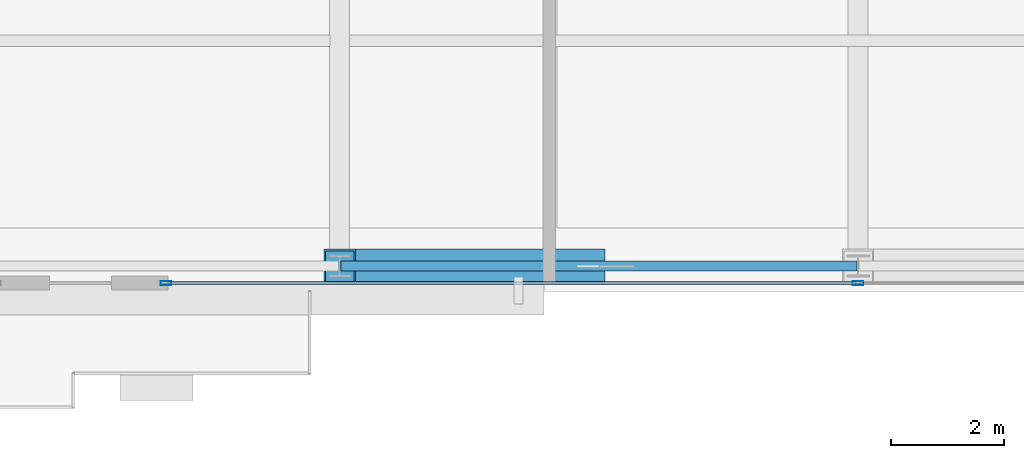
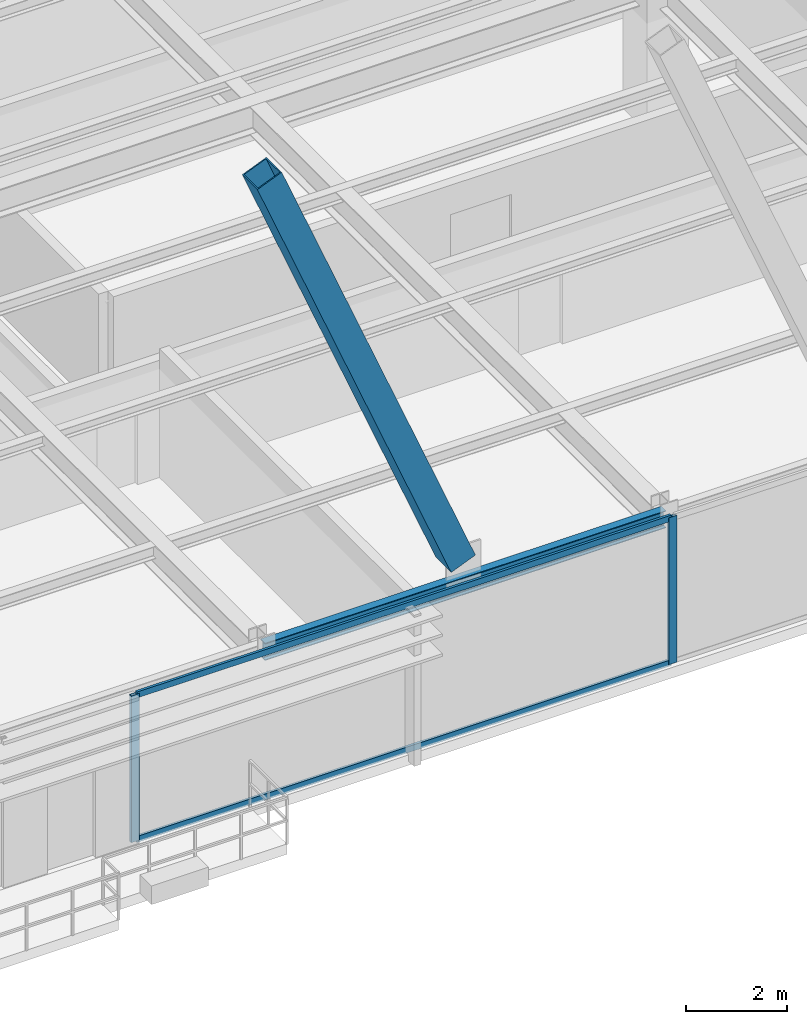
# One storey, part 6 of 37: 5 members, 1 beam, 1 element without a shape of its own.
"""IFC4 building model written with IfcOpenShell, lengths in metres."""

import ifcopenshell
import ifcopenshell.guid

model = None  # the IFC model being written
_history = None  # IfcOwnerHistory: only IFC2X3 demands one
_inside = {}  # id of a spatial element -> (the spatial element, [elements in it])
_under = {}  # id of a project, library or spatial element -> (it, [spatial elements below it])
_declared = {}  # id of a project -> (the project, [libraries it declares])
_typed = {}  # id of a type object -> (the type object, [elements of that type])
_made_of = {}  # id of a material, layer set ... -> (it, [elements and type objects made of it])


def new_model(schema):
    """Start an empty IFC model of exactly this schema.

    Asked for "IFC4X3", IfcOpenShell would pick the latest addendum, in which some entities
    have other attributes; the version numbers below select the first issue.
    IFC2X3 requires an IfcOwnerHistory on every rooted entity: one is made here for all.
    """
    global model, _history
    if schema == "IFC4X3":
        model = ifcopenshell.file(schema_version=(4, 3, 0, 0))
    else:
        model = ifcopenshell.file(schema=schema)
    _inside.clear()
    _under.clear()
    _declared.clear()
    _typed.clear()
    _made_of.clear()
    _history = None
    if model.schema == "IFC2X3":
        org = make("IfcOrganization", Name="unknown")
        user = make(
            "IfcPersonAndOrganization",
            ThePerson=make("IfcPerson", FamilyName="unknown"),
            TheOrganization=org,
        )
        app = make(
            "IfcApplication",
            ApplicationDeveloper=org,
            Version="unknown",
            ApplicationFullName="unknown",
            ApplicationIdentifier="unknown",
        )
        _history = make(
            "IfcOwnerHistory",
            OwningUser=user,
            OwningApplication=app,
            ChangeAction="ADDED",
            CreationDate=0,
        )
    return model


def make(cls, **values):
    """One entity of the class cls with the attributes given. An attribute that is None is left unset."""
    return model.create_entity(
        cls, **{name: value for name, value in values.items() if value is not None}
    )


def rooted(cls, **values):
    """An entity with a GlobalId (a new one), such as an element, a storey or a relation."""
    return make(cls, GlobalId=ifcopenshell.guid.new(), OwnerHistory=_history, **values)


def si_unit(unit_type, name, prefix=None):
    """IfcSIUnit, for example si_unit("LENGTHUNIT", "METRE", prefix="MILLI")."""
    return make("IfcSIUnit", UnitType=unit_type, Prefix=prefix, Name=name)


def assignment(units):
    """IfcUnitAssignment: the units of a project."""
    return None if units is None else make("IfcUnitAssignment", Units=units)


def point(xyz):
    """IfcCartesianPoint."""
    return None if xyz is None else make("IfcCartesianPoint", Coordinates=xyz)


def direction(xyz):
    """IfcDirection."""
    return None if xyz is None else make("IfcDirection", DirectionRatios=xyz)


def frame(location, z_axis=None, x_axis=None):
    """IfcAxis2Placement3D, a coordinate frame: its origin and axes. An axis left out is left unset."""
    return make(
        "IfcAxis2Placement3D",
        Location=point(location),
        Axis=direction(z_axis),
        RefDirection=direction(x_axis),
    )


def frame_2d(location, x_axis=None):
    """IfcAxis2Placement2D, a coordinate frame in the plane: its origin and x axis."""
    return make(
        "IfcAxis2Placement2D", Location=point(location), RefDirection=direction(x_axis)
    )


def origin():
    """The frame at (0, 0, 0) with its axes left unset."""
    return frame((0.0, 0.0, 0.0))


def origin_2d():
    """The frame at (0, 0) in the plane with its x axis left unset."""
    return frame_2d((0.0, 0.0))


def place(relative_to, where):
    """IfcLocalPlacement: puts the frame where relative to a parent placement (None: the world)."""
    return make(
        "IfcLocalPlacement", PlacementRelTo=relative_to, RelativePlacement=where
    )


def context(
    kind, dimensions, precision=None, world=None, true_north=None, identifier=None
):
    """IfcGeometricRepresentationContext, for example the 3D "Model" context."""
    return make(
        "IfcGeometricRepresentationContext",
        ContextIdentifier=identifier,
        ContextType=kind,
        CoordinateSpaceDimension=dimensions,
        Precision=precision,
        WorldCoordinateSystem=world,
        TrueNorth=true_north,
    )


def subcontext(parent, identifier, kind, view, scale=None):
    """IfcGeometricRepresentationSubContext, for example "Body" below "Model"."""
    return make(
        "IfcGeometricRepresentationSubContext",
        ContextIdentifier=identifier,
        ContextType=kind,
        ParentContext=parent,
        TargetScale=scale,
        TargetView=view,
    )


def project(units=None, contexts=None):
    """IfcProject with its units and contexts."""
    return rooted(
        "IfcProject",
        Name="project",
        RepresentationContexts=contexts,
        UnitsInContext=assignment(units),
    )


def spatial(cls, under=None, at=None, **own):
    """A site, building, storey or space (cls), placed at a placement, below another one or the project."""
    s = rooted(cls, ObjectPlacement=at, **own)
    if under is not None:
        _under.setdefault(under.id(), (under, []))[1].append(s)
    return s


def profile(cls, at=None, kind="AREA", **sizes):
    """A parametric profile (cls). Its sizes go by their IFC names, for example OverallWidth=200.0."""
    return make(cls, ProfileType=kind, Position=at, **sizes)


def hollow_rectangle(**sizes):
    """IfcRectangleHollowProfileDef."""
    return profile("IfcRectangleHollowProfileDef", **sizes)


def i_section(**sizes):
    """IfcIShapeProfileDef."""
    return profile("IfcIShapeProfileDef", **sizes)


def extrude(swept, where, along, depth):
    """IfcExtrudedAreaSolid: the profile swept, set in the frame where, extruded along a direction by depth."""
    return make(
        "IfcExtrudedAreaSolid",
        SweptArea=swept,
        Position=where,
        ExtrudedDirection=direction(along),
        Depth=depth,
    )


def shape(context_of_items, identifier, shape_type, items):
    """IfcShapeRepresentation: the items that make up one representation, for example the "Body"."""
    return make(
        "IfcShapeRepresentation",
        ContextOfItems=context_of_items,
        RepresentationIdentifier=identifier,
        RepresentationType=shape_type,
        Items=items,
    )


def source(mapping_origin, context_of_items, identifier, shape_type, items):
    """IfcRepresentationMap: a shape defined once, which mapped items show again and again."""
    return make(
        "IfcRepresentationMap",
        MappingOrigin=mapping_origin,
        MappedRepresentation=shape(context_of_items, identifier, shape_type, items),
    )


def transform(
    local_origin,
    x_axis=None,
    y_axis=None,
    z_axis=None,
    scale=None,
    scale2=None,
    scale3=None,
    uniform=True,
):
    """IfcCartesianTransformationOperator3D, or its non-uniform kind. x_axis, y_axis, z_axis: its Axis1, 2, 3."""
    if uniform:
        return make(
            "IfcCartesianTransformationOperator3D",
            Axis1=direction(x_axis),
            Axis2=direction(y_axis),
            LocalOrigin=point(local_origin),
            Scale=scale,
            Axis3=direction(z_axis),
        )
    return make(
        "IfcCartesianTransformationOperator3DnonUniform",
        Axis1=direction(x_axis),
        Axis2=direction(y_axis),
        LocalOrigin=point(local_origin),
        Scale=scale,
        Axis3=direction(z_axis),
        Scale2=scale2,
        Scale3=scale3,
    )


def mapped(mapping_source, mapping_target):
    """IfcMappedItem: shows the shape of a source again, moved by a transform."""
    return make(
        "IfcMappedItem", MappingSource=mapping_source, MappingTarget=mapping_target
    )


def material(Name=None, Category=None):
    """IfcMaterial."""
    return make("IfcMaterial", Name=Name, Category=Category)


def layer(
    of_material, thickness, ventilated=None, Name=None, Category=None, Priority=None
):
    """IfcMaterialLayer: one layer of a wall or slab, of a material (None: an air gap)."""
    return make(
        "IfcMaterialLayer",
        Material=of_material,
        LayerThickness=thickness,
        IsVentilated=ventilated,
        Name=Name,
        Category=Category,
        Priority=Priority,
    )


def layer_set(layers, Name=None):
    """IfcMaterialLayerSet."""
    return make("IfcMaterialLayerSet", MaterialLayers=layers, LayerSetName=Name)


def material_profile(
    of_material, cross_section, Name=None, Category=None, Priority=None
):
    """IfcMaterialProfile: a cross section and its material."""
    return make(
        "IfcMaterialProfile",
        Name=Name,
        Material=of_material,
        Profile=cross_section,
        Priority=Priority,
        Category=Category,
    )


def profile_set(profiles, Name=None, composite=None):
    """IfcMaterialProfileSet."""
    return make(
        "IfcMaterialProfileSet",
        Name=Name,
        MaterialProfiles=profiles,
        CompositeProfile=composite,
    )


def made_of(thing, what):
    """Note that an element or type object is made of a material, layer set ...; save() writes the relation."""
    if what is not None:
        _made_of.setdefault(what.id(), (what, []))[1].append(thing)
    return thing


def type_object(cls, material=None, **own):
    """A type object (cls), such as IfcWallType, which elements share."""
    return made_of(rooted(cls, **own), material)


def type_shapes(of_type, sources):
    """Give a type object the sources (RepresentationMaps) that its elements show as mapped items."""
    of_type.RepresentationMaps = sources


def element(
    cls,
    number,
    at=None,
    inside=None,
    cuts=None,
    type_object=None,
    material=None,
    context=None,
    identifier="Body",
    shape_type=None,
    held_by="IfcProductDefinitionShape",
    body=None,
    shapes=None,
    **own,
):
    """One element of the class cls, such as IfcWall. Its Tag is "e" and its number.

    at: its placement. inside: the storey or other place that contains it. cuts: it is an
    opening in that element (IfcRelVoidsElement). A single representation is given by context,
    identifier, shape_type and body (its items); several are given by shapes. held_by: the class
    of the entity that holds the representations. save() writes the other relations.
    """
    e = rooted(cls, Tag="e%d" % number, ObjectPlacement=at, **own)
    if body is not None:
        shapes = [shape(context, identifier, shape_type, body)]
    if shapes is not None:
        e.Representation = make(held_by, Representations=shapes)
    if inside is not None:
        _inside.setdefault(inside.id(), (inside, []))[1].append(e)
    if cuts is not None:
        rooted(
            "IfcRelVoidsElement", RelatingBuildingElement=cuts, RelatedOpeningElement=e
        )
    if type_object is not None:
        _typed.setdefault(type_object.id(), (type_object, []))[1].append(e)
    return made_of(e, material)


def aggregate(whole, parts):
    """IfcRelAggregates: a whole, such as a stair, and the parts it consists of."""
    return rooted("IfcRelAggregates", RelatingObject=whole, RelatedObjects=parts)


def save(model, path):
    """Write the relations noted so far, then the file.

    IfcRelAggregates (storeys below a building ...), IfcRelContainedInSpatialStructure (elements
    in a storey), IfcRelDefinesByType, IfcRelAssociatesMaterial and IfcRelDeclares: one each for
    every whole, place, type object, material and project.
    """
    for whole, parts in _under.values():
        aggregate(whole, parts)
    for where, things in _inside.values():
        rooted(
            "IfcRelContainedInSpatialStructure",
            RelatedElements=things,
            RelatingStructure=where,
        )
    for kind, things in _typed.values():
        rooted("IfcRelDefinesByType", RelatedObjects=things, RelatingType=kind)
    for what, things in _made_of.values():
        rooted("IfcRelAssociatesMaterial", RelatedObjects=things, RelatingMaterial=what)
    for by, libraries in _declared.values():
        rooted("IfcRelDeclares", RelatingContext=by, RelatedDefinitions=libraries)
    model.write(path)


model = new_model("IFC4")

# Units and contexts
model_context = context("Model", 3, precision=1e-05, world=origin(), true_north=direction((0.0, 1.0)))
body_context = subcontext(model_context, "Body", "Model", "MODEL_VIEW")
ifc_project = project(units=[si_unit("LENGTHUNIT", "METRE"), si_unit("AREAUNIT", "SQUARE_METRE"), si_unit("VOLUMEUNIT", "CUBIC_METRE"), si_unit("PLANEANGLEUNIT", "RADIAN"), si_unit("MASSUNIT", "GRAM", prefix="KILO")], contexts=[model_context])

# Site, building, storey
site_placement = place(None, origin())
site = spatial("IfcSite", under=ifc_project, at=site_placement, CompositionType="ELEMENT")
building_placement = place(site_placement, origin())
building = spatial("IfcBuilding", under=site, at=building_placement, Name="Varnel Quay Broadcast Tower", CompositionType="ELEMENT")
storey_placement = place(building_placement, frame((0.0, 0.0, 125.800048828125)))
storey = spatial("IfcBuildingStorey", under=building, at=storey_placement, Name="L30", CompositionType="ELEMENT", Elevation=125.800048828125)

# Beam
ifc_material_1 = material(Name="Structural Steel CSA G40.21 350W", Category="steel")
ifc_material_profile_1 = material_profile(ifc_material_1, i_section(OverallWidth=0.180908203125, OverallDepth=0.4169921875, WebThickness=0.010986328125, FlangeThickness=0.018310546875, FilletRadius=0.011962890625, at=origin_2d()), Name="W410X85")
ifc_profile_set_1 = profile_set([ifc_material_profile_1], Name="Structural Steel CSA G40.21 350W")
beam_type = type_object("IfcBeamType", Name="Beam_W410X85", PredefinedType="SPANDREL", material=ifc_profile_set_1)
shared_shape_1 = source(origin(), body_context, "Body", "SweptSolid", [
    extrude(i_section(OverallWidth=0.180908203125, OverallDepth=0.4169921875, WebThickness=0.010986328125, FlangeThickness=0.018310546875, FilletRadius=0.011962890625, at=origin_2d()), origin(), (0.0, 0.0, 1.0), 9.159912109375),
])
type_shapes(beam_type, [shared_shape_1])
beam_placement = place(storey_placement, frame((24.820068359375, 4.64990234375, 3.341552734375), z_axis=(1.0, 0.0, 0.0), x_axis=(0.0, 1.0, 0.0)))
element("IfcBeam", 1, at=beam_placement, inside=storey, type_object=beam_type, Name="L30 South Spandrel TC-S2-TC-S3", PredefinedType="SPANDREL", context=body_context, shape_type="MappedRepresentation", body=[
    mapped(shared_shape_1, transform((0.0, 0.0, 0.0), x_axis=(1.0, 0.0, 0.0), y_axis=(0.0, 1.0, 0.0), z_axis=(0.0, 0.0, 1.0), scale=1.0)),
])

# Member
ifc_material_2 = material(Name="Structural Steel CSA G40.21 350WT", Category="steel")
ifc_material_profile_2 = material_profile(ifc_material_2, hollow_rectangle(XDim=0.60009765625, YDim=0.60009765625, WallThickness=0.028076171875, at=origin_2d()), Name="BOX600X600X28")
ifc_profile_set_2 = profile_set([ifc_material_profile_2], Name="Structural Steel CSA G40.21 350WT")
member_type_1 = type_object("IfcMemberType", Name="Brace_BOX600X600X28", PredefinedType="BRACE", material=ifc_profile_set_2)
shared_shape_2 = source(origin(), body_context, "Body", "SweptSolid", [
    extrude(hollow_rectangle(XDim=0.60009765625, YDim=0.60009765625, WallThickness=0.028076171875, at=origin_2d()), origin(), (0.0, 0.0, 1.0), 11.673828125),
])
type_shapes(member_type_1, [shared_shape_2])
member_1_placement = place(storey_placement, frame((29.228515625, 4.64990234375, 4.05859375), z_axis=(-0.379349342289, 0.0, 0.925253520126), x_axis=(0.0, -1.0, 0.0)))
element("IfcMember", 2, at=member_1_placement, inside=storey, type_object=member_type_1, Name="Zone 2 Mega-Brace S-C1T3 Split Diag B2", PredefinedType="BRACE", context=body_context, shape_type="MappedRepresentation", body=[
    mapped(shared_shape_2, transform((0.0, 0.0, 0.0), x_axis=(1.0, 0.0, 0.0), y_axis=(0.0, 1.0, 0.0), z_axis=(0.0, 0.0, 1.0), scale=1.0)),
])

# Curtain wall, members
ifc_material_3 = material(Name="Anodised Bronze Aluminium 6063-T6", Category="aluminium")
ifc_layer = layer(ifc_material_3, 0.18994140625, Name="Anodised Bronze Aluminium 6063-T6")
ifc_layer_set = layer_set([ifc_layer], Name="Anodised Bronze Aluminium 6063-T6")
curtain_wall_type = type_object("IfcCurtainWallType", Name="CW_LowerTower", PredefinedType="NOTDEFINED", material=ifc_layer_set)
curtain_wall_placement = place(storey_placement, origin())
curtain_wall = element("IfcCurtainWall", 3, at=curtain_wall_placement, inside=storey, type_object=curtain_wall_type, Name="L30 South Unitised Curtain Wall 2", PredefinedType="NOTDEFINED")
ifc_material_profile_3 = material_profile(ifc_material_3, hollow_rectangle(XDim=0.06005859375, YDim=0.14501953125, WallThickness=0.00341796875, at=origin_2d()), Name="ALU60X145X3.5")
ifc_profile_set_3 = profile_set([ifc_material_profile_3], Name="Anodised Bronze Aluminium 6063-T6")
member_type_2 = type_object("IfcMemberType", Name="Tran_CWS-02", PredefinedType="USERDEFINED", material=ifc_profile_set_3)
shared_shape_3 = source(origin(), body_context, "Body", "SweptSolid", [
    extrude(hollow_rectangle(XDim=0.06005859375, YDim=0.14501953125, WallThickness=0.00341796875, at=origin_2d()), origin(), (0.0, 0.0, 1.0), 12.215087890625),
])
type_shapes(member_type_2, [shared_shape_3])
member_2_placement = place(storey_placement, frame((21.75, 4.35009765625, 0.030029296875), z_axis=(1.0, 0.0, 0.0), x_axis=(0.0, 1.0, 0.0)))
member_2 = element("IfcMember", 4, at=member_2_placement, type_object=member_type_2, Name="CWS-02 transom 1.1", ObjectType="TRANSOM", PredefinedType="USERDEFINED", context=body_context, shape_type="MappedRepresentation", body=[
    mapped(shared_shape_3, transform((0.0, 0.0, 0.0), x_axis=(1.0, 0.0, 0.0), y_axis=(0.0, 1.0, 0.0), z_axis=(0.0, 0.0, 1.0), scale=1.0)),
])
member_3_placement = place(storey_placement, frame((21.75, 4.35009765625, 3.52001953125), z_axis=(1.0, 0.0, 0.0), x_axis=(0.0, 1.0, 0.0)))
member_3 = element("IfcMember", 5, at=member_3_placement, type_object=member_type_2, Name="CWS-02 transom 1.2", ObjectType="TRANSOM", PredefinedType="USERDEFINED", context=body_context, shape_type="MappedRepresentation", body=[
    mapped(shared_shape_3, transform((0.0, 0.0, 0.0), x_axis=(1.0, 0.0, 0.0), y_axis=(0.0, 1.0, 0.0), z_axis=(0.0, 0.0, 1.0), scale=1.0)),
])
ifc_material_profile_4 = material_profile(ifc_material_3, hollow_rectangle(XDim=0.070068359375, YDim=0.18994140625, WallThickness=0.00390625, at=origin_2d()), Name="ALU70X190X4")
ifc_profile_set_4 = profile_set([ifc_material_profile_4], Name="Anodised Bronze Aluminium 6063-T6")
member_type_3 = type_object("IfcMemberType", Name="Mull_CWS-02", PredefinedType="MULLION", material=ifc_profile_set_4)
shared_shape_4 = source(origin(), body_context, "Body", "SweptSolid", [
    extrude(hollow_rectangle(XDim=0.070068359375, YDim=0.18994140625, WallThickness=0.00390625, at=origin_2d()), origin(), (0.0, 0.0, 1.0), 3.550048828125),
])
type_shapes(member_type_3, [shared_shape_4])
member_4_placement = place(storey_placement, frame((21.715087890625, 4.35009765625, 0.0), z_axis=(0.0, 0.0, 1.0), x_axis=(0.0, 1.0, 0.0)))
member_4 = element("IfcMember", 6, at=member_4_placement, type_object=member_type_3, Name="CWS-02 mullion 1", PredefinedType="MULLION", context=body_context, shape_type="MappedRepresentation", body=[
    mapped(shared_shape_4, transform((0.0, 0.0, 0.0), x_axis=(1.0, 0.0, 0.0), y_axis=(0.0, 1.0, 0.0), z_axis=(0.0, 0.0, 1.0), scale=1.0)),
])
member_5_placement = place(storey_placement, frame((34.0, 4.35009765625, 0.0), z_axis=(0.0, 0.0, 1.0), x_axis=(0.0, 1.0, 0.0)))
member_5 = element("IfcMember", 7, at=member_5_placement, type_object=member_type_3, Name="CWS-02 mullion 2", PredefinedType="MULLION", context=body_context, shape_type="MappedRepresentation", body=[
    mapped(shared_shape_4, transform((0.0, 0.0, 0.0), x_axis=(1.0, 0.0, 0.0), y_axis=(0.0, 1.0, 0.0), z_axis=(0.0, 0.0, 1.0), scale=1.0)),
])
aggregate(curtain_wall, [member_4, member_5, member_2, member_3])

save(model, "model.ifc")
